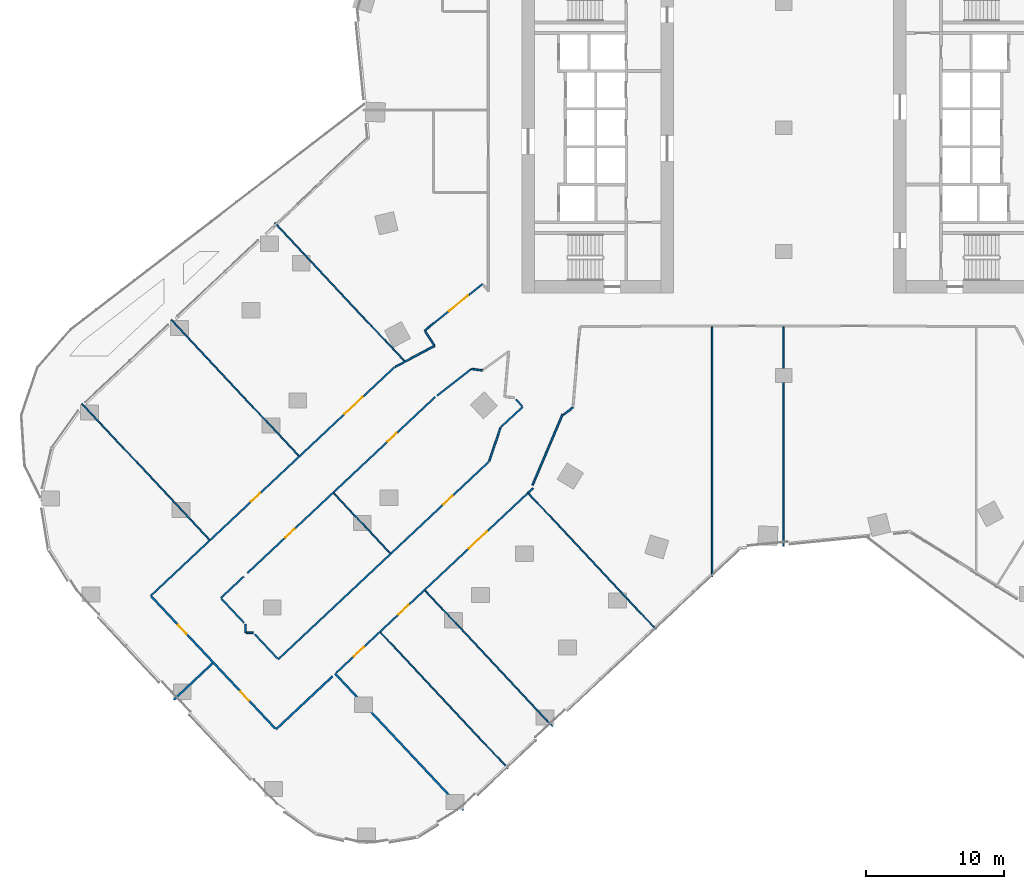
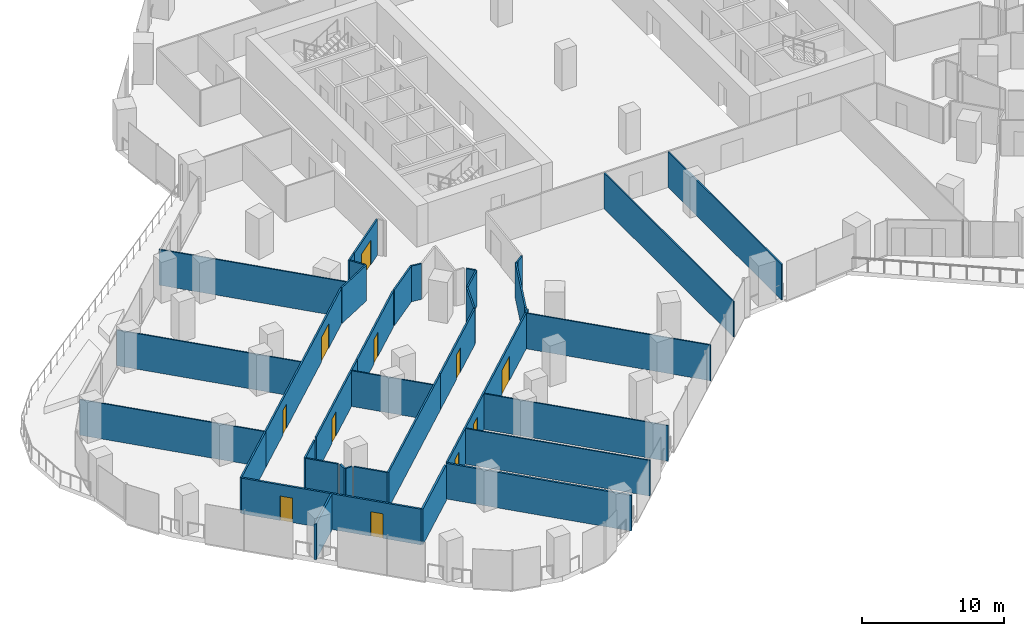
# One storey, part 23 of 34: 38 walls, 11 doors, 11 openings.
"""IFC4 building model written with IfcOpenShell, lengths in metres."""

from ifc_helpers import new_model, si_unit, direction, frame, frame_2d, origin, place, context, subcontext, project, spatial, rectangle, extrude, material, layer, layer_set, type_object, element, fill, save


model = new_model("IFC4")

# Units and contexts
model_context = context("Model", 3, precision=1e-05, world=origin(), true_north=direction((0.0, 1.0)))
body_context = subcontext(model_context, "Body", "Model", "MODEL_VIEW")
ifc_project = project(units=[si_unit("LENGTHUNIT", "METRE"), si_unit("AREAUNIT", "SQUARE_METRE"), si_unit("VOLUMEUNIT", "CUBIC_METRE"), si_unit("PLANEANGLEUNIT", "RADIAN"), si_unit("MASSUNIT", "GRAM", prefix="KILO")], contexts=[model_context])

# Site, building, storey
site_placement = place(None, origin())
site = spatial("IfcSite", under=ifc_project, at=site_placement, CompositionType="ELEMENT")
building_placement = place(site_placement, origin())
building = spatial("IfcBuilding", under=site, at=building_placement, Name="Orlundy Tower", CompositionType="ELEMENT")
storey_placement = place(building_placement, frame((0.0, 0.0, 37.300048828125)))
storey = spatial("IfcBuildingStorey", under=building, at=storey_placement, Name="L07", CompositionType="ELEMENT", Elevation=37.300048828125)

# Walls
ifc_material_1 = material(Name="Gypsum board partition")
ifc_layer_1 = layer(ifc_material_1, 0.10009765625)
ifc_layer_set_1 = layer_set([ifc_layer_1], Name="Floor partition 100")
wall_type_1 = type_object("IfcWallType", Name="Floor partition 100", PredefinedType="PARTITIONING", material=ifc_layer_set_1)
wall_1_placement = place(storey_placement, frame((-50.97900390625, -20.052001953125, 0.0), z_axis=(0.0, 0.0, 1.0), x_axis=(0.684137881392, -0.729352698798, 0.0)))
element("IfcWall", 1, at=wall_1_placement, inside=storey, type_object=wall_type_1, Name="wall-int-L07-014", PredefinedType="PARTITIONING", context=body_context, shape_type="SweptSolid", body=[
    extrude(rectangle(XDim=13.53662109375, YDim=0.10009765625, at=frame_2d((6.768310546875, 0.0))), origin(), (0.0, 0.0, 1.0), 3.06005859375),
])
wall_2_placement = place(storey_placement, frame((-29.285888671875, -36.674072265625, 0.0), z_axis=(0.0, 0.0, 1.0), x_axis=(0.684063504796, -0.729422457432, 0.0)))
element("IfcWall", 2, at=wall_2_placement, inside=storey, type_object=wall_type_1, Name="wall-int-L07-016", PredefinedType="PARTITIONING", context=body_context, shape_type="SweptSolid", body=[
    extrude(rectangle(XDim=13.536865234375, YDim=0.10009765625, at=frame_2d((6.7685546875, 0.0))), origin(), (0.0, 0.0, 1.0), 3.06005859375),
])
wall_3_placement = place(storey_placement, frame((-44.487060546875, -13.962890625, 0.0), z_axis=(0.0, 0.0, 1.0), x_axis=(0.684099502381, -0.729388696678, 0.0)))
element("IfcWall", 3, at=wall_3_placement, inside=storey, type_object=wall_type_1, Name="wall-int-L07-017", PredefinedType="PARTITIONING", context=body_context, shape_type="SweptSolid", body=[
    extrude(rectangle(XDim=13.5361328125, YDim=0.10009765625, at=frame_2d((6.76806640625, 0.0))), origin(), (0.0, 0.0, 1.0), 3.06005859375),
])
wall_4_placement = place(storey_placement, frame((-32.677001953125, -26.555908203125, 0.0), z_axis=(0.0, 0.0, 1.0), x_axis=(0.684221226116, -0.729274511918, 0.0)))
element("IfcWall", 4, at=wall_4_placement, inside=storey, type_object=wall_type_1, Name="wall-int-L07-018", PredefinedType="PARTITIONING", context=body_context, shape_type="SweptSolid", body=[
    extrude(rectangle(XDim=5.9716796875, YDim=0.10009765625, at=frame_2d((2.98583984375, 0.0))), origin(), (0.0, 0.0, 1.0), 3.06005859375),
])
wall_5_placement = place(storey_placement, frame((-26.041015625, -33.6298828125, 0.0), z_axis=(0.0, 0.0, 1.0), x_axis=(0.684137881392, -0.729352698798, 0.0)))
element("IfcWall", 5, at=wall_5_placement, inside=storey, type_object=wall_type_1, Name="wall-int-L07-019", PredefinedType="PARTITIONING", context=body_context, shape_type="SweptSolid", body=[
    extrude(rectangle(XDim=13.53662109375, YDim=0.10009765625, at=frame_2d((6.768310546875, 0.0))), origin(), (0.0, 0.0, 1.0), 3.06005859375),
])
wall_6_placement = place(storey_placement, frame((-36.969970703125, -6.912109375, 0.0), z_axis=(0.0, 0.0, 1.0), x_axis=(0.684169085262, -0.729323428098, 0.0)))
element("IfcWall", 6, at=wall_6_placement, inside=storey, type_object=wall_type_1, Name="wall-int-L07-020", PredefinedType="PARTITIONING", context=body_context, shape_type="SweptSolid", body=[
    extrude(rectangle(XDim=13.74951171875, YDim=0.10009765625, at=frame_2d((6.874755859375, 0.0))), origin(), (0.0, 0.0, 1.0), 3.06005859375),
])
wall_7_placement = place(storey_placement, frame((-18.52294921875, -26.5791015625, 0.0), z_axis=(0.0, 0.0, 1.0), x_axis=(0.684146880737, -0.729344257246, 0.0)))
element("IfcWall", 7, at=wall_7_placement, inside=storey, type_object=wall_type_1, Name="wall-int-L07-021", PredefinedType="PARTITIONING", context=body_context, shape_type="SweptSolid", body=[
    extrude(rectangle(XDim=13.53662109375, YDim=0.10009765625, at=frame_2d((6.768310546875, 0.0))), origin(), (0.0, 0.0, 1.0), 3.06005859375),
])
wall_8_placement = place(storey_placement, frame((0.0, -30.39794921875, 0.0), z_axis=(0.0, 0.0, 1.0), x_axis=(0.0, 1.0, 0.0)))
element("IfcWall", 8, at=wall_8_placement, inside=storey, type_object=wall_type_1, Name="wall-int-L07-117", PredefinedType="PARTITIONING", context=body_context, shape_type="SweptSolid", body=[
    extrude(rectangle(XDim=15.93505859375, YDim=0.10009765625, at=frame_2d((7.967529296875, 0.0))), origin(), (0.0, 0.0, 1.0), 3.06005859375),
])
wall_9_placement = place(storey_placement, frame((-5.195068359375, -32.636962890625, 0.0), z_axis=(0.0, 0.0, 1.0), x_axis=(0.0, 1.0, 0.0)))
element("IfcWall", 9, at=wall_9_placement, inside=storey, type_object=wall_type_1, Name="wall-int-L07-119", PredefinedType="PARTITIONING", context=body_context, shape_type="SweptSolid", body=[
    extrude(rectangle(XDim=18.174072265625, YDim=0.10009765625, at=frame_2d((9.0869140625, 0.0))), origin(), (0.0, 0.0, 1.0), 3.06005859375),
])
ifc_material_2 = material(Name="Gypsum board partition, double layer")
ifc_layer_2 = layer(ifc_material_2, 0.125)
ifc_layer_set_2 = layer_set([ifc_layer_2], Name="Floor partition 125")
wall_type_2 = type_object("IfcWallType", Name="Floor partition 125", PredefinedType="PARTITIONING", material=ifc_layer_set_2)
wall_10_placement = place(storey_placement, frame((-25.382080078125, -15.7880859375, 0.0), z_axis=(0.0, 0.0, 1.0), x_axis=(-0.556395946592, 0.830917294691, 0.0)))
element("IfcWall", 10, at=wall_10_placement, inside=storey, type_object=wall_type_2, Name="wall-int-L07-006", PredefinedType="PARTITIONING", context=body_context, shape_type="SweptSolid", body=[
    extrude(rectangle(XDim=1.1953125, YDim=0.125, at=frame_2d((0.59765625, 0.0))), origin(), (0.0, 0.0, 1.0), 3.06005859375),
])
wall_11_placement = place(storey_placement, frame((-22.677001953125, -17.52392578125, 0.0), z_axis=(0.0, 0.0, 1.0), x_axis=(0.991054476668, -0.133457949465, 0.0)))
element("IfcWall", 11, at=wall_11_placement, inside=storey, type_object=wall_type_2, Name="wall-int-L07-007", PredefinedType="PARTITIONING", context=body_context, shape_type="SweptSolid", body=[
    extrude(rectangle(XDim=0.802978515625, YDim=0.125, at=frame_2d((0.4013671875, 0.0))), origin(), (0.0, 0.0, 1.0), 3.06005859375),
])
wall_12_placement = place(storey_placement, frame((-19.450927734375, -19.73095703125, 0.0), z_axis=(0.0, 0.0, 1.0), x_axis=(0.679953646653, -0.733255097768, 0.0)))
element("IfcWall", 12, at=wall_12_placement, inside=storey, type_object=wall_type_2, Name="wall-int-L07-009", PredefinedType="PARTITIONING", context=body_context, shape_type="SweptSolid", body=[
    extrude(rectangle(XDim=0.677978515625, YDim=0.125, at=frame_2d((0.3388671875, 0.0))), origin(), (0.0, 0.0, 1.0), 3.06005859375),
])
wall_13_placement = place(storey_placement, frame((-40.844970703125, -34.218017578125, 0.0), z_axis=(0.0, 0.0, 1.0), x_axis=(0.683941128881, -0.72953720414, 0.0)))
element("IfcWall", 13, at=wall_13_placement, inside=storey, type_object=wall_type_2, Name="wall-int-L07-012", PredefinedType="PARTITIONING", context=body_context, shape_type="SweptSolid", body=[
    extrude(rectangle(XDim=2.393310546875, YDim=0.125, at=frame_2d((1.19677734375, 0.0))), origin(), (0.0, 0.0, 1.0), 3.06005859375),
])
wall_14_placement = place(storey_placement, frame((-38.422119140625, -36.801025390625, 0.0), z_axis=(0.0, 0.0, 1.0), x_axis=(0.684134981221, -0.729355419168, 0.0)))
element("IfcWall", 14, at=wall_14_placement, inside=storey, type_object=wall_type_2, Name="wall-int-L07-013", PredefinedType="PARTITIONING", context=body_context, shape_type="SweptSolid", body=[
    extrude(rectangle(XDim=2.429443359375, YDim=0.125, at=frame_2d((1.21484375, 0.0))), origin(), (0.0, 0.0, 1.0), 3.06005859375),
])
wall_15_placement = place(storey_placement, frame((-15.967041015625, -20.827880859375, 0.0), z_axis=(0.0, 0.0, 1.0), x_axis=(0.799039774709, 0.601278170594, 0.0)))
element("IfcWall", 15, at=wall_15_placement, inside=storey, type_object=wall_type_2, Name="wall-int-L07-039", PredefinedType="PARTITIONING", context=body_context, shape_type="SweptSolid", body=[
    extrude(rectangle(XDim=0.82470703125, YDim=0.125, at=frame_2d((0.412353515625, 0.0))), origin(), (0.0, 0.0, 1.0), 3.06005859375),
])
wall_16_placement = place(storey_placement, frame((-39.034912109375, -36.694091796875, 0.0), z_axis=(0.0, 0.0, 1.0), x_axis=(1.0, 0.0, 0.0)))
element("IfcWall", 16, at=wall_16_placement, inside=storey, type_object=wall_type_2, Name="wall-int-L07-044", PredefinedType="PARTITIONING", context=body_context, shape_type="SweptSolid", body=[
    extrude(rectangle(XDim=0.513916015625, YDim=0.125, at=frame_2d((0.2568359375, 0.0))), origin(), (0.0, 0.0, 1.0), 3.06005859375),
])
wall_17_placement = place(storey_placement, frame((-25.346923828125, -15.840087890625, 0.0), z_axis=(0.0, 0.0, 1.0), x_axis=(-0.881616399283, -0.471966656147, 0.0)))
element("IfcWall", 17, at=wall_17_placement, inside=storey, type_object=wall_type_2, Name="wall-int-L07-065", PredefinedType="PARTITIONING", context=body_context, shape_type="SweptSolid", body=[
    extrude(rectangle(XDim=3.271240234375, YDim=0.125, at=frame_2d((1.6357421875, 0.0))), origin(), (0.0, 0.0, 1.0), 3.06005859375),
])
wall_18_placement = place(storey_placement, frame((-25.18701171875, -19.47412109375, 0.0), z_axis=(0.0, 0.0, 1.0), x_axis=(0.789430829464, 0.613839527476, 0.0)))
element("IfcWall", 18, at=wall_18_placement, inside=storey, type_object=wall_type_2, Name="wall-int-L07-066", PredefinedType="PARTITIONING", context=body_context, shape_type="SweptSolid", body=[
    extrude(rectangle(XDim=3.177001953125, YDim=0.125, at=frame_2d((1.58837890625, 0.0))), origin(), (0.0, 0.0, 1.0), 3.06005859375),
])

# Wall, opening, door
wall_19_placement = place(storey_placement, frame((-25.373046875, -14.172119140625, 0.0), z_axis=(0.0, 0.0, 1.0), x_axis=(0.779219787028, 0.626750766657, 0.0)))
wall_19 = element("IfcWall", 19, at=wall_19_placement, inside=storey, type_object=wall_type_2, Name="wall-int-L07-067", PredefinedType="PARTITIONING", context=body_context, shape_type="SweptSolid", body=[
    extrude(rectangle(XDim=4.49951171875, YDim=0.125, at=frame_2d((2.249755859375, 0.0))), origin(), (0.0, 0.0, 1.0), 3.06005859375),
])
opening_1_placement = place(wall_19_placement, frame((1.35009765625, 0.0, 0.0)))
opening_1 = element("IfcOpeningElement", 20, at=opening_1_placement, cuts=wall_19, Name="Opening 08122", PredefinedType="OPENING", context=body_context, shape_type="SweptSolid", body=[
    extrude(rectangle(XDim=1.800048828125, YDim=2.10009765625, at=frame_2d((0.89990234375, 1.050048828125))), frame((0.0, 0.072509765625, 0.0), z_axis=(0.0, -1.0, 0.0), x_axis=(1.0, 0.0, 0.0)), (0.0, 0.0, 1.0), 0.14501953125),
])
ifc_material_3 = material(Name="Timber door leaf", Category="wood")
door_type_1 = type_object("IfcDoorType", Name="Floor door double 1800 FD30S", OperationType="NOTDEFINED", PredefinedType="DOOR", material=ifc_material_3)
door_1_placement = place(opening_1_placement, origin())
door_1 = element("IfcDoor", 21, at=door_1_placement, inside=storey, type_object=door_type_1, Name="Door 08122", OperationType="DOUBLE_DOOR_SINGLE_SWING", OverallHeight=2.10009765625, OverallWidth=1.800048828125, PredefinedType="DOOR", context=body_context, shape_type="SweptSolid", body=[
    extrude(rectangle(XDim=1.800048828125, YDim=2.10009765625, at=frame_2d((0.89990234375, 1.050048828125))), frame((0.0, 0.02490234375, 0.0), z_axis=(0.0, -1.0, 0.0), x_axis=(1.0, 0.0, 0.0)), (0.0, 0.0, 1.0), 0.050048828125),
])
fill(opening_1, door_1)

# Walls
wall_20_placement = place(storey_placement, frame((-26.08203125, -14.741943359375, 0.0), z_axis=(0.0, 0.0, 1.0), x_axis=(0.779030886705, 0.626985548127, 0.0)))
element("IfcWall", 22, at=wall_20_placement, inside=storey, type_object=wall_type_2, Name="wall-int-L07-068", PredefinedType="PARTITIONING", context=body_context, shape_type="SweptSolid", body=[
    extrude(rectangle(XDim=0.908935546875, YDim=0.125, at=frame_2d((0.45458984375, 0.0))), origin(), (0.0, 0.0, 1.0), 3.06005859375),
])
wall_21_placement = place(storey_placement, frame((-20.52197265625, -21.73291015625, 0.0), z_axis=(0.0, 0.0, 1.0), x_axis=(0.733842634203, 0.679319503788, 0.0)))
element("IfcWall", 23, at=wall_21_placement, inside=storey, type_object=wall_type_2, Name="wall-int-L07-072", PredefinedType="PARTITIONING", context=body_context, shape_type="SweptSolid", body=[
    extrude(rectangle(XDim=2.144775390625, YDim=0.125, at=frame_2d((1.072265625, 0.0))), origin(), (0.0, 0.0, 1.0), 3.06005859375),
])
wall_22_placement = place(storey_placement, frame((-18.56591796875, -26.531982421875, 0.0), z_axis=(0.0, 0.0, 1.0), x_axis=(0.729735589773, 0.683729456012, 0.0)))
element("IfcWall", 24, at=wall_22_placement, inside=storey, type_object=wall_type_2, Name="wall-int-L07-074", PredefinedType="PARTITIONING", context=body_context, shape_type="SweptSolid", body=[
    extrude(rectangle(XDim=0.498779296875, YDim=0.125, at=frame_2d((0.24951171875, 0.0))), origin(), (0.0, 0.0, 1.0), 3.06005859375),
])
wall_23_placement = place(storey_placement, frame((-40.887939453125, -34.169921875, 0.0), z_axis=(0.0, 0.0, 1.0), x_axis=(0.729573637745, 0.683902264295, 0.0)))
element("IfcWall", 25, at=wall_23_placement, inside=storey, type_object=wall_type_2, Name="wall-int-L07-075", PredefinedType="PARTITIONING", context=body_context, shape_type="SweptSolid", body=[
    extrude(rectangle(XDim=2.298583984375, YDim=0.125, at=frame_2d((1.1494140625, 0.0))), origin(), (0.0, 0.0, 1.0), 3.06005859375),
])
wall_24_placement = place(storey_placement, frame((-32.719970703125, -26.508056640625, 0.0), z_axis=(0.0, 0.0, 1.0), x_axis=(0.729721133243, 0.683744884953, 0.0)))
element("IfcWall", 26, at=wall_24_placement, inside=storey, type_object=wall_type_2, Name="wall-int-L07-076", PredefinedType="PARTITIONING", context=body_context, shape_type="SweptSolid", body=[
    extrude(rectangle(XDim=1.4072265625, YDim=0.125, at=frame_2d((0.70361328125, 0.0))), origin(), (0.0, 0.0, 1.0), 3.06005859375),
])

# Wall, openings, doors
wall_25_placement = place(storey_placement, frame((-18.56591796875, -26.531982421875, 0.0), z_axis=(0.0, 0.0, 1.0), x_axis=(-0.729338488461, -0.684153030578, 0.0)))
wall_25 = element("IfcWall", 27, at=wall_25_placement, inside=storey, type_object=wall_type_2, Name="wall-int-L07-077", PredefinedType="PARTITIONING", context=body_context, shape_type="SweptSolid", body=[
    extrude(rectangle(XDim=19.12158203125, YDim=0.125, at=frame_2d((9.560791015625, 0.0))), origin(), (0.0, 0.0, 1.0), 3.06005859375),
])
opening_2_placement = place(wall_25_placement, frame((4.1005859375, 0.0, 0.0)))
opening_2 = element("IfcOpeningElement", 28, at=opening_2_placement, cuts=wall_25, Name="Opening 08112", PredefinedType="OPENING", context=body_context, shape_type="SweptSolid", body=[
    extrude(rectangle(XDim=1.800048828125, YDim=2.10009765625, at=frame_2d((0.89990234375, 1.050048828125))), frame((0.0, 0.072509765625, 0.0), z_axis=(0.0, -1.0, 0.0), x_axis=(1.0, 0.0, 0.0)), (0.0, 0.0, 1.0), 0.14501953125),
])
opening_3_placement = place(wall_25_placement, frame((11.90771484375, 0.0, 0.0)))
opening_3 = element("IfcOpeningElement", 29, at=opening_3_placement, cuts=wall_25, Name="Opening 08113", PredefinedType="OPENING", context=body_context, shape_type="SweptSolid", body=[
    extrude(rectangle(XDim=1.0, YDim=2.10009765625, at=frame_2d((0.5, 1.050048828125))), frame((0.0, 0.072509765625, 0.0), z_axis=(0.0, -1.0, 0.0), x_axis=(1.0, 0.0, 0.0)), (0.0, 0.0, 1.0), 0.14501953125),
])
opening_4_placement = place(wall_25_placement, frame((16.357177734375, 0.0, 0.0)))
opening_4 = element("IfcOpeningElement", 30, at=opening_4_placement, cuts=wall_25, Name="Opening 08114", PredefinedType="OPENING", context=body_context, shape_type="SweptSolid", body=[
    extrude(rectangle(XDim=1.0, YDim=2.10009765625, at=frame_2d((0.5, 1.050048828125))), frame((0.0, 0.072509765625, 0.0), z_axis=(0.0, -1.0, 0.0), x_axis=(1.0, 0.0, 0.0)), (0.0, 0.0, 1.0), 0.14501953125),
])
door_2_placement = place(opening_2_placement, origin())
door_2 = element("IfcDoor", 31, at=door_2_placement, inside=storey, type_object=door_type_1, Name="Door 08112", OperationType="DOUBLE_DOOR_SINGLE_SWING", OverallHeight=2.10009765625, OverallWidth=1.800048828125, PredefinedType="DOOR", context=body_context, shape_type="SweptSolid", body=[
    extrude(rectangle(XDim=1.800048828125, YDim=2.10009765625, at=frame_2d((0.89990234375, 1.050048828125))), frame((0.0, 0.02490234375, 0.0), z_axis=(0.0, -1.0, 0.0), x_axis=(1.0, 0.0, 0.0)), (0.0, 0.0, 1.0), 0.050048828125),
])
fill(opening_2, door_2)
ifc_material_4 = material(Name="Timber door leaf", Category="wood")
door_type_2 = type_object("IfcDoorType", Name="Floor door wide 1000 FD30S", OperationType="NOTDEFINED", PredefinedType="DOOR", material=ifc_material_4)
door_3_placement = place(opening_3_placement, origin())
door_3 = element("IfcDoor", 32, at=door_3_placement, inside=storey, type_object=door_type_2, Name="Door 08113", OperationType="SINGLE_SWING_RIGHT", OverallHeight=2.10009765625, OverallWidth=1.0, PredefinedType="DOOR", context=body_context, shape_type="SweptSolid", body=[
    extrude(rectangle(XDim=1.0, YDim=2.10009765625, at=frame_2d((0.5, 1.050048828125))), frame((0.0, 0.02490234375, 0.0), z_axis=(0.0, -1.0, 0.0), x_axis=(1.0, 0.0, 0.0)), (0.0, 0.0, 1.0), 0.050048828125),
])
fill(opening_3, door_3)
door_4_placement = place(opening_4_placement, origin())
door_4 = element("IfcDoor", 33, at=door_4_placement, inside=storey, type_object=door_type_2, Name="Door 08114", OperationType="SINGLE_SWING_RIGHT", OverallHeight=2.10009765625, OverallWidth=1.0, PredefinedType="DOOR", context=body_context, shape_type="SweptSolid", body=[
    extrude(rectangle(XDim=1.0, YDim=2.10009765625, at=frame_2d((0.5, 1.050048828125))), frame((0.0, 0.02490234375, 0.0), z_axis=(0.0, -1.0, 0.0), x_axis=(1.0, 0.0, 0.0)), (0.0, 0.0, 1.0), 0.050048828125),
])
fill(opening_4, door_4)

# Wall
wall_26_placement = place(storey_placement, frame((-36.715087890625, -38.618896484375, 0.0), z_axis=(0.0, 0.0, 1.0), x_axis=(0.729354194338, 0.684136287008, 0.0)))
element("IfcWall", 34, at=wall_26_placement, inside=storey, type_object=wall_type_2, Name="wall-int-L07-078", PredefinedType="PARTITIONING", context=body_context, shape_type="SweptSolid", body=[
    extrude(rectangle(XDim=12.607177734375, YDim=0.125, at=frame_2d((6.3037109375, 0.0))), origin(), (0.0, 0.0, 1.0), 3.06005859375),
])

# Wall, opening, door
wall_27_placement = place(storey_placement, frame((-27.52001953125, -29.993896484375, 0.0), z_axis=(0.0, 0.0, 1.0), x_axis=(0.729427587213, 0.684058034828, 0.0)))
wall_27 = element("IfcWall", 35, at=wall_27_placement, inside=storey, type_object=wall_type_2, Name="wall-int-L07-079", PredefinedType="PARTITIONING", context=body_context, shape_type="SweptSolid", body=[
    extrude(rectangle(XDim=8.33544921875, YDim=0.125, at=frame_2d((4.167724609375, 0.0))), origin(), (0.0, 0.0, 1.0), 3.06005859375),
])
opening_5_placement = place(wall_27_placement, frame((3.85009765625, 0.0, 0.0)))
opening_5 = element("IfcOpeningElement", 36, at=opening_5_placement, cuts=wall_27, Name="Opening 08116", PredefinedType="OPENING", context=body_context, shape_type="SweptSolid", body=[
    extrude(rectangle(XDim=0.89990234375, YDim=2.10009765625, at=frame_2d((0.449951171875, 1.050048828125))), frame((0.0, 0.072509765625, 0.0), z_axis=(0.0, -1.0, 0.0), x_axis=(1.0, 0.0, 0.0)), (0.0, 0.0, 1.0), 0.14501953125),
])
ifc_material_5 = material(Name="Timber door leaf", Category="wood")
door_type_3 = type_object("IfcDoorType", Name="Floor door single 900 FD30S", OperationType="NOTDEFINED", PredefinedType="DOOR", material=ifc_material_5)
door_5_placement = place(opening_5_placement, origin())
door_5 = element("IfcDoor", 37, at=door_5_placement, inside=storey, type_object=door_type_3, Name="Door 08116", OperationType="SINGLE_SWING_RIGHT", OverallHeight=2.10009765625, OverallWidth=0.89990234375, PredefinedType="DOOR", context=body_context, shape_type="SweptSolid", body=[
    extrude(rectangle(XDim=0.89990234375, YDim=2.10009765625, at=frame_2d((0.449951171875, 1.050048828125))), frame((0.0, 0.02490234375, 0.0), z_axis=(0.0, -1.0, 0.0), x_axis=(1.0, 0.0, 0.0)), (0.0, 0.0, 1.0), 0.050048828125),
])
fill(opening_5, door_5)

wall_28_placement = place(storey_placement, frame((-32.720947265625, -26.509033203125, 0.0), z_axis=(0.0, 0.0, 1.0), x_axis=(-0.729399894654, -0.684087562874, 0.0)))
wall_28 = element("IfcWall", 38, at=wall_28_placement, inside=storey, type_object=wall_type_2, Name="wall-int-L07-081", PredefinedType="PARTITIONING", context=body_context, shape_type="SweptSolid", body=[
    extrude(rectangle(XDim=8.539794921875, YDim=0.125, at=frame_2d((4.27001953125, 0.0))), origin(), (0.0, 0.0, 1.0), 3.06005859375),
])
opening_6_placement = place(wall_28_placement, frame((3.85009765625, 0.0, 0.0)))
opening_6 = element("IfcOpeningElement", 39, at=opening_6_placement, cuts=wall_28, Name="Opening 08117", PredefinedType="OPENING", context=body_context, shape_type="SweptSolid", body=[
    extrude(rectangle(XDim=0.89990234375, YDim=2.10009765625, at=frame_2d((0.449951171875, 1.050048828125))), frame((0.0, 0.072509765625, 0.0), z_axis=(0.0, -1.0, 0.0), x_axis=(1.0, 0.0, 0.0)), (0.0, 0.0, 1.0), 0.14501953125),
])
door_6_placement = place(opening_6_placement, origin())
door_6 = element("IfcDoor", 40, at=door_6_placement, inside=storey, type_object=door_type_3, Name="Door 08117", OperationType="SINGLE_SWING_RIGHT", OverallHeight=2.10009765625, OverallWidth=0.89990234375, PredefinedType="DOOR", context=body_context, shape_type="SweptSolid", body=[
    extrude(rectangle(XDim=0.89990234375, YDim=2.10009765625, at=frame_2d((0.449951171875, 1.050048828125))), frame((0.0, 0.02490234375, 0.0), z_axis=(0.0, -1.0, 0.0), x_axis=(1.0, 0.0, 0.0)), (0.0, 0.0, 1.0), 0.050048828125),
])
fill(opening_6, door_6)

wall_29_placement = place(storey_placement, frame((-25.304931640625, -19.553955078125, 0.0), z_axis=(0.0, 0.0, 1.0), x_axis=(-0.729365065932, -0.684124696674, 0.0)))
wall_29 = element("IfcWall", 41, at=wall_29_placement, inside=storey, type_object=wall_type_2, Name="wall-int-L07-082", PredefinedType="PARTITIONING", context=body_context, shape_type="SweptSolid", body=[
    extrude(rectangle(XDim=8.758544921875, YDim=0.125, at=frame_2d((4.37939453125, 0.0))), origin(), (0.0, 0.0, 1.0), 3.06005859375),
])
opening_7_placement = place(wall_29_placement, frame((3.85009765625, 0.0, 0.0)))
opening_7 = element("IfcOpeningElement", 42, at=opening_7_placement, cuts=wall_29, Name="Opening 08115", PredefinedType="OPENING", context=body_context, shape_type="SweptSolid", body=[
    extrude(rectangle(XDim=0.89990234375, YDim=2.10009765625, at=frame_2d((0.449951171875, 1.050048828125))), frame((0.0, 0.072509765625, 0.0), z_axis=(0.0, -1.0, 0.0), x_axis=(1.0, 0.0, 0.0)), (0.0, 0.0, 1.0), 0.14501953125),
])
door_7_placement = place(opening_7_placement, origin())
door_7 = element("IfcDoor", 43, at=door_7_placement, inside=storey, type_object=door_type_3, Name="Door 08115", OperationType="SINGLE_SWING_LEFT", OverallHeight=2.10009765625, OverallWidth=0.89990234375, PredefinedType="DOOR", context=body_context, shape_type="SweptSolid", body=[
    extrude(rectangle(XDim=0.89990234375, YDim=2.10009765625, at=frame_2d((0.449951171875, 1.050048828125))), frame((0.0, 0.02490234375, 0.0), z_axis=(0.0, -1.0, 0.0), x_axis=(1.0, 0.0, 0.0)), (0.0, 0.0, 1.0), 0.050048828125),
])
fill(opening_7, door_7)

# Wall
wall_30_placement = place(storey_placement, frame((-45.97802734375, -34.007080078125, 0.0), z_axis=(0.0, 0.0, 1.0), x_axis=(0.72936038077, 0.684129691625, 0.0)))
element("IfcWall", 44, at=wall_30_placement, inside=storey, type_object=wall_type_2, Name="wall-int-L07-083", PredefinedType="PARTITIONING", context=body_context, shape_type="SweptSolid", body=[
    extrude(rectangle(XDim=5.899658203125, YDim=0.125, at=frame_2d((2.94970703125, 0.0))), origin(), (0.0, 0.0, 1.0), 3.06005859375),
])

# Wall, openings, doors
wall_31_placement = place(storey_placement, frame((-41.675048828125, -29.970947265625, 0.0), z_axis=(0.0, 0.0, 1.0), x_axis=(0.729357568135, 0.684132690203, 0.0)))
wall_31 = element("IfcWall", 45, at=wall_31_placement, inside=storey, type_object=wall_type_2, Name="wall-int-L07-084", PredefinedType="PARTITIONING", context=body_context, shape_type="SweptSolid", body=[
    extrude(rectangle(XDim=18.3544921875, YDim=0.125, at=frame_2d((9.17724609375, 0.0))), origin(), (0.0, 0.0, 1.0), 3.06005859375),
])
opening_8_placement = place(wall_31_placement, frame((13.40771484375, 0.0, 0.0)))
opening_8 = element("IfcOpeningElement", 46, at=opening_8_placement, cuts=wall_31, Name="Opening 08120", PredefinedType="OPENING", context=body_context, shape_type="SweptSolid", body=[
    extrude(rectangle(XDim=1.800048828125, YDim=2.10009765625, at=frame_2d((0.89990234375, 1.050048828125))), frame((0.0, 0.072509765625, 0.0), z_axis=(0.0, -1.0, 0.0), x_axis=(1.0, 0.0, 0.0)), (0.0, 0.0, 1.0), 0.14501953125),
])
opening_9_placement = place(wall_31_placement, frame((4.10009765625, 0.0, 0.0)))
opening_9 = element("IfcOpeningElement", 47, at=opening_9_placement, cuts=wall_31, Name="Opening 08121", PredefinedType="OPENING", context=body_context, shape_type="SweptSolid", body=[
    extrude(rectangle(XDim=0.89990234375, YDim=2.10009765625, at=frame_2d((0.449951171875, 1.050048828125))), frame((0.0, 0.072509765625, 0.0), z_axis=(0.0, -1.0, 0.0), x_axis=(1.0, 0.0, 0.0)), (0.0, 0.0, 1.0), 0.14501953125),
])
door_8_placement = place(opening_8_placement, origin())
door_8 = element("IfcDoor", 48, at=door_8_placement, inside=storey, type_object=door_type_1, Name="Door 08120", OperationType="DOUBLE_DOOR_SINGLE_SWING", OverallHeight=2.10009765625, OverallWidth=1.800048828125, PredefinedType="DOOR", context=body_context, shape_type="SweptSolid", body=[
    extrude(rectangle(XDim=1.800048828125, YDim=2.10009765625, at=frame_2d((0.89990234375, 1.050048828125))), frame((0.0, 0.02490234375, 0.0), z_axis=(0.0, -1.0, 0.0), x_axis=(1.0, 0.0, 0.0)), (0.0, 0.0, 1.0), 0.050048828125),
])
fill(opening_8, door_8)
door_9_placement = place(opening_9_placement, origin())
door_9 = element("IfcDoor", 49, at=door_9_placement, inside=storey, type_object=door_type_3, Name="Door 08121", OperationType="SINGLE_SWING_LEFT", OverallHeight=2.10009765625, OverallWidth=0.89990234375, PredefinedType="DOOR", context=body_context, shape_type="SweptSolid", body=[
    extrude(rectangle(XDim=0.89990234375, YDim=2.10009765625, at=frame_2d((0.449951171875, 1.050048828125))), frame((0.0, 0.02490234375, 0.0), z_axis=(0.0, -1.0, 0.0), x_axis=(1.0, 0.0, 0.0)), (0.0, 0.0, 1.0), 0.050048828125),
])
fill(opening_9, door_9)

# Walls
wall_32_placement = place(storey_placement, frame((-18.243896484375, -25.972900390625, 0.0), z_axis=(0.0, 0.0, 1.0), x_axis=(0.391349326708, 0.920242198818, 0.0)))
element("IfcWall", 50, at=wall_32_placement, inside=storey, type_object=wall_type_2, Name="wall-int-L07-100", PredefinedType="PARTITIONING", context=body_context, shape_type="SweptSolid", body=[
    extrude(rectangle(XDim=5.598388671875, YDim=0.125, at=frame_2d((2.79931640625, 0.0))), origin(), (0.0, 0.0, 1.0), 3.06005859375),
])
wall_33_placement = place(storey_placement, frame((-20.568115234375, -21.77587890625, 0.0), z_axis=(0.0, 0.0, 1.0), x_axis=(-0.316873991938, -0.948467644801, 0.0)))
element("IfcWall", 51, at=wall_33_placement, inside=storey, type_object=wall_type_2, Name="wall-int-L07-102", PredefinedType="PARTITIONING", context=body_context, shape_type="SweptSolid", body=[
    extrude(rectangle(XDim=2.6064453125, YDim=0.125, at=frame_2d((1.30322265625, 0.0))), origin(), (0.0, 0.0, 1.0), 3.06005859375),
])
wall_34_placement = place(storey_placement, frame((-39.097900390625, -36.694091796875, 0.0), z_axis=(0.0, 0.0, 1.0), x_axis=(0.0, 1.0, 0.0)))
element("IfcWall", 52, at=wall_34_placement, inside=storey, type_object=wall_type_2, Name="wall-int-L07-124", PredefinedType="PARTITIONING", context=body_context, shape_type="SweptSolid", body=[
    extrude(rectangle(XDim=0.614990234375, YDim=0.125, at=frame_2d((0.3076171875, 0.0))), origin(), (0.0, 0.0, 1.0), 3.06005859375),
])

# Wall, openings, doors
ifc_material_6 = material(Name="Blockwork shaft wall", Category="masonry")
ifc_layer_3 = layer(ifc_material_6, 0.14990234375)
ifc_layer_set_3 = layer_set([ifc_layer_3], Name="Floor shaft wall 150")
wall_type_3 = type_object("IfcWallType", Name="Floor shaft wall 150", PredefinedType="PARTITIONING", material=ifc_layer_set_3)
wall_35_placement = place(storey_placement, frame((-36.929931640625, -43.655029296875, 0.0), z_axis=(0.0, 0.0, 1.0), x_axis=(-0.684107687407, 0.72938101979, 0.0)))
wall_35 = element("IfcWall", 53, at=wall_35_placement, inside=storey, type_object=wall_type_3, Name="wall-int-L07-011", PredefinedType="PARTITIONING", context=body_context, shape_type="SweptSolid", body=[
    extrude(rectangle(XDim=13.163330078125, YDim=0.14990234375, at=frame_2d((6.58154296875, 0.0))), origin(), (0.0, 0.0, 1.0), 3.06005859375),
])
opening_10_placement = place(wall_35_placement, frame((2.775390625, 0.0, 0.0)))
opening_10 = element("IfcOpeningElement", 54, at=opening_10_placement, cuts=wall_35, Name="Opening 08118", PredefinedType="OPENING", context=body_context, shape_type="SweptSolid", body=[
    extrude(rectangle(XDim=0.89990234375, YDim=2.10009765625, at=frame_2d((0.449951171875, 1.050048828125))), frame((0.0, 0.0849609375, 0.0), z_axis=(0.0, -1.0, 0.0), x_axis=(1.0, 0.0, 0.0)), (0.0, 0.0, 1.0), 0.169921875),
])
opening_11_placement = place(wall_35_placement, frame((9.4248046875, 0.0, 0.0)))
opening_11 = element("IfcOpeningElement", 55, at=opening_11_placement, cuts=wall_35, Name="Opening 08119", PredefinedType="OPENING", context=body_context, shape_type="SweptSolid", body=[
    extrude(rectangle(XDim=0.89990234375, YDim=2.10009765625, at=frame_2d((0.449951171875, 1.050048828125))), frame((0.0, 0.0849609375, 0.0), z_axis=(0.0, -1.0, 0.0), x_axis=(1.0, 0.0, 0.0)), (0.0, 0.0, 1.0), 0.169921875),
])
ifc_material_7 = material(Name="Timber door leaf", Category="wood")
door_type_4 = type_object("IfcDoorType", Name="Floor door single 900 FD60", OperationType="NOTDEFINED", PredefinedType="DOOR", material=ifc_material_7)
door_10_placement = place(opening_10_placement, origin())
door_10 = element("IfcDoor", 56, at=door_10_placement, inside=storey, type_object=door_type_4, Name="Door 08118", OperationType="SINGLE_SWING_LEFT", OverallHeight=2.10009765625, OverallWidth=0.89990234375, PredefinedType="DOOR", context=body_context, shape_type="SweptSolid", body=[
    extrude(rectangle(XDim=0.89990234375, YDim=2.10009765625, at=frame_2d((0.449951171875, 1.050048828125))), frame((0.0, 0.02490234375, 0.0), z_axis=(0.0, -1.0, 0.0), x_axis=(1.0, 0.0, 0.0)), (0.0, 0.0, 1.0), 0.050048828125),
])
fill(opening_10, door_10)
door_11_placement = place(opening_11_placement, origin())
door_11 = element("IfcDoor", 57, at=door_11_placement, inside=storey, type_object=door_type_4, Name="Door 08119", OperationType="SINGLE_SWING_RIGHT", OverallHeight=2.10009765625, OverallWidth=0.89990234375, PredefinedType="DOOR", context=body_context, shape_type="SweptSolid", body=[
    extrude(rectangle(XDim=0.89990234375, YDim=2.10009765625, at=frame_2d((0.449951171875, 1.050048828125))), frame((0.0, 0.02490234375, 0.0), z_axis=(0.0, -1.0, 0.0), x_axis=(1.0, 0.0, 0.0)), (0.0, 0.0, 1.0), 0.050048828125),
])
fill(opening_11, door_11)

# Walls
wall_36_placement = place(storey_placement, frame((-32.58203125, -39.6650390625, 0.0), z_axis=(0.0, 0.0, 1.0), x_axis=(0.684115938583, -0.729373280684, 0.0)))
element("IfcWall", 58, at=wall_36_placement, inside=storey, type_object=wall_type_3, Name="wall-int-L07-015", PredefinedType="PARTITIONING", context=body_context, shape_type="SweptSolid", body=[
    extrude(rectangle(XDim=13.6103515625, YDim=0.14990234375, at=frame_2d((6.80517578125, 0.0))), origin(), (0.0, 0.0, 1.0), 3.06005859375),
])
wall_37_placement = place(storey_placement, frame((-36.8779296875, -43.708984375, 0.0), z_axis=(0.0, 0.0, 1.0), x_axis=(0.729372262533, 0.684117024088, 0.0)))
element("IfcWall", 59, at=wall_37_placement, inside=storey, type_object=wall_type_3, Name="wall-int-L07-073", PredefinedType="PARTITIONING", context=body_context, shape_type="SweptSolid", body=[
    extrude(rectangle(XDim=5.632080078125, YDim=0.14990234375, at=frame_2d((2.81591796875, 0.0))), origin(), (0.0, 0.0, 1.0), 3.06005859375),
])
wall_38_placement = place(storey_placement, frame((-44.30908203125, -41.56103515625, 0.0), z_axis=(0.0, 0.0, 1.0), x_axis=(0.729332834695, 0.684159057702, 0.0)))
element("IfcWall", 60, at=wall_38_placement, inside=storey, type_object=wall_type_3, Name="wall-int-L07-080", PredefinedType="PARTITIONING", context=body_context, shape_type="SweptSolid", body=[
    extrude(rectangle(XDim=3.875, YDim=0.14990234375, at=frame_2d((1.9375, 0.0))), origin(), (0.0, 0.0, 1.0), 3.06005859375),
])

save(model, "model.ifc")
